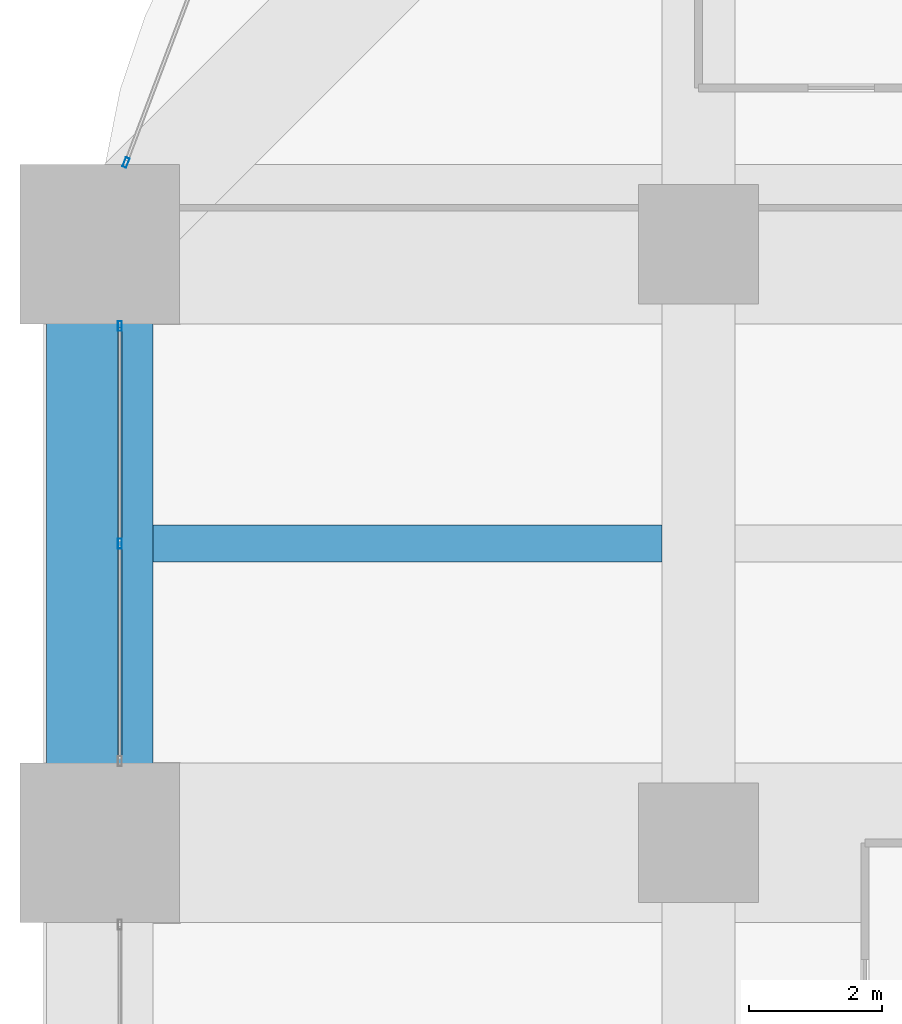
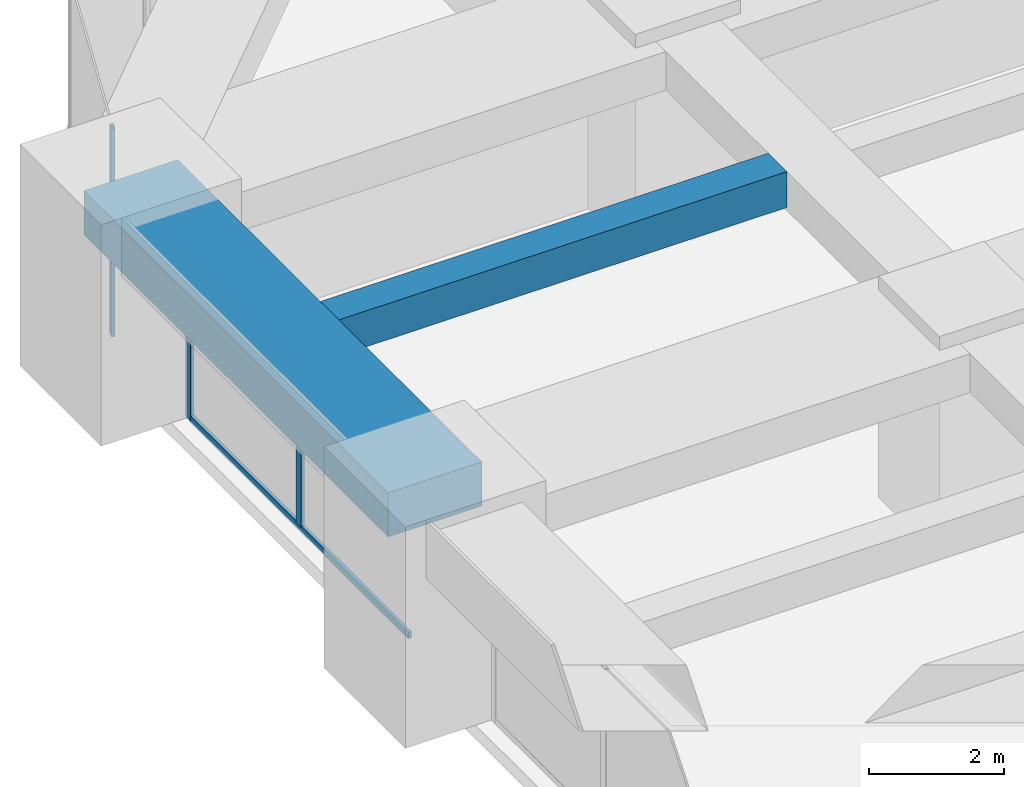
# One storey, part 24 of 42: 4 members, 2 beams, 2 elements without a shape of their own.
"""IFC4 building model written with IfcOpenShell, lengths in metres."""

import ifcopenshell
import ifcopenshell.guid

model = None  # the IFC model being written
_history = None  # IfcOwnerHistory: only IFC2X3 demands one
_inside = {}  # id of a spatial element -> (the spatial element, [elements in it])
_under = {}  # id of a project, library or spatial element -> (it, [spatial elements below it])
_declared = {}  # id of a project -> (the project, [libraries it declares])
_typed = {}  # id of a type object -> (the type object, [elements of that type])
_made_of = {}  # id of a material, layer set ... -> (it, [elements and type objects made of it])


def new_model(schema):
    """Start an empty IFC model of exactly this schema.

    Asked for "IFC4X3", IfcOpenShell would pick the latest addendum, in which some entities
    have other attributes; the version numbers below select the first issue.
    IFC2X3 requires an IfcOwnerHistory on every rooted entity: one is made here for all.
    """
    global model, _history
    if schema == "IFC4X3":
        model = ifcopenshell.file(schema_version=(4, 3, 0, 0))
    else:
        model = ifcopenshell.file(schema=schema)
    _inside.clear()
    _under.clear()
    _declared.clear()
    _typed.clear()
    _made_of.clear()
    _history = None
    if model.schema == "IFC2X3":
        org = make("IfcOrganization", Name="unknown")
        user = make(
            "IfcPersonAndOrganization",
            ThePerson=make("IfcPerson", FamilyName="unknown"),
            TheOrganization=org,
        )
        app = make(
            "IfcApplication",
            ApplicationDeveloper=org,
            Version="unknown",
            ApplicationFullName="unknown",
            ApplicationIdentifier="unknown",
        )
        _history = make(
            "IfcOwnerHistory",
            OwningUser=user,
            OwningApplication=app,
            ChangeAction="ADDED",
            CreationDate=0,
        )
    return model


def make(cls, **values):
    """One entity of the class cls with the attributes given. An attribute that is None is left unset."""
    return model.create_entity(
        cls, **{name: value for name, value in values.items() if value is not None}
    )


def rooted(cls, **values):
    """An entity with a GlobalId (a new one), such as an element, a storey or a relation."""
    return make(cls, GlobalId=ifcopenshell.guid.new(), OwnerHistory=_history, **values)


def si_unit(unit_type, name, prefix=None):
    """IfcSIUnit, for example si_unit("LENGTHUNIT", "METRE", prefix="MILLI")."""
    return make("IfcSIUnit", UnitType=unit_type, Prefix=prefix, Name=name)


def assignment(units):
    """IfcUnitAssignment: the units of a project."""
    return None if units is None else make("IfcUnitAssignment", Units=units)


def point(xyz):
    """IfcCartesianPoint."""
    return None if xyz is None else make("IfcCartesianPoint", Coordinates=xyz)


def direction(xyz):
    """IfcDirection."""
    return None if xyz is None else make("IfcDirection", DirectionRatios=xyz)


def frame(location, z_axis=None, x_axis=None):
    """IfcAxis2Placement3D, a coordinate frame: its origin and axes. An axis left out is left unset."""
    return make(
        "IfcAxis2Placement3D",
        Location=point(location),
        Axis=direction(z_axis),
        RefDirection=direction(x_axis),
    )


def frame_2d(location, x_axis=None):
    """IfcAxis2Placement2D, a coordinate frame in the plane: its origin and x axis."""
    return make(
        "IfcAxis2Placement2D", Location=point(location), RefDirection=direction(x_axis)
    )


def origin():
    """The frame at (0, 0, 0) with its axes left unset."""
    return frame((0.0, 0.0, 0.0))


def origin_2d():
    """The frame at (0, 0) in the plane with its x axis left unset."""
    return frame_2d((0.0, 0.0))


def place(relative_to, where):
    """IfcLocalPlacement: puts the frame where relative to a parent placement (None: the world)."""
    return make(
        "IfcLocalPlacement", PlacementRelTo=relative_to, RelativePlacement=where
    )


def context(
    kind, dimensions, precision=None, world=None, true_north=None, identifier=None
):
    """IfcGeometricRepresentationContext, for example the 3D "Model" context."""
    return make(
        "IfcGeometricRepresentationContext",
        ContextIdentifier=identifier,
        ContextType=kind,
        CoordinateSpaceDimension=dimensions,
        Precision=precision,
        WorldCoordinateSystem=world,
        TrueNorth=true_north,
    )


def subcontext(parent, identifier, kind, view, scale=None):
    """IfcGeometricRepresentationSubContext, for example "Body" below "Model"."""
    return make(
        "IfcGeometricRepresentationSubContext",
        ContextIdentifier=identifier,
        ContextType=kind,
        ParentContext=parent,
        TargetScale=scale,
        TargetView=view,
    )


def project(units=None, contexts=None):
    """IfcProject with its units and contexts."""
    return rooted(
        "IfcProject",
        Name="project",
        RepresentationContexts=contexts,
        UnitsInContext=assignment(units),
    )


def spatial(cls, under=None, at=None, **own):
    """A site, building, storey or space (cls), placed at a placement, below another one or the project."""
    s = rooted(cls, ObjectPlacement=at, **own)
    if under is not None:
        _under.setdefault(under.id(), (under, []))[1].append(s)
    return s


def profile(cls, at=None, kind="AREA", **sizes):
    """A parametric profile (cls). Its sizes go by their IFC names, for example OverallWidth=200.0."""
    return make(cls, ProfileType=kind, Position=at, **sizes)


def rectangle(**sizes):
    """IfcRectangleProfileDef."""
    return profile("IfcRectangleProfileDef", **sizes)


def hollow_rectangle(**sizes):
    """IfcRectangleHollowProfileDef."""
    return profile("IfcRectangleHollowProfileDef", **sizes)


def extrude(swept, where, along, depth):
    """IfcExtrudedAreaSolid: the profile swept, set in the frame where, extruded along a direction by depth."""
    return make(
        "IfcExtrudedAreaSolid",
        SweptArea=swept,
        Position=where,
        ExtrudedDirection=direction(along),
        Depth=depth,
    )


def shape(context_of_items, identifier, shape_type, items):
    """IfcShapeRepresentation: the items that make up one representation, for example the "Body"."""
    return make(
        "IfcShapeRepresentation",
        ContextOfItems=context_of_items,
        RepresentationIdentifier=identifier,
        RepresentationType=shape_type,
        Items=items,
    )


def material(Name=None, Category=None):
    """IfcMaterial."""
    return make("IfcMaterial", Name=Name, Category=Category)


def material_profile(
    of_material, cross_section, Name=None, Category=None, Priority=None
):
    """IfcMaterialProfile: a cross section and its material."""
    return make(
        "IfcMaterialProfile",
        Name=Name,
        Material=of_material,
        Profile=cross_section,
        Priority=Priority,
        Category=Category,
    )


def profile_set(profiles, Name=None, composite=None):
    """IfcMaterialProfileSet."""
    return make(
        "IfcMaterialProfileSet",
        Name=Name,
        MaterialProfiles=profiles,
        CompositeProfile=composite,
    )


def made_of(thing, what):
    """Note that an element or type object is made of a material, layer set ...; save() writes the relation."""
    if what is not None:
        _made_of.setdefault(what.id(), (what, []))[1].append(thing)
    return thing


def type_object(cls, material=None, **own):
    """A type object (cls), such as IfcWallType, which elements share."""
    return made_of(rooted(cls, **own), material)


def element(
    cls,
    number,
    at=None,
    inside=None,
    cuts=None,
    type_object=None,
    material=None,
    context=None,
    identifier="Body",
    shape_type=None,
    held_by="IfcProductDefinitionShape",
    body=None,
    shapes=None,
    **own,
):
    """One element of the class cls, such as IfcWall. Its Tag is "e" and its number.

    at: its placement. inside: the storey or other place that contains it. cuts: it is an
    opening in that element (IfcRelVoidsElement). A single representation is given by context,
    identifier, shape_type and body (its items); several are given by shapes. held_by: the class
    of the entity that holds the representations. save() writes the other relations.
    """
    e = rooted(cls, Tag="e%d" % number, ObjectPlacement=at, **own)
    if body is not None:
        shapes = [shape(context, identifier, shape_type, body)]
    if shapes is not None:
        e.Representation = make(held_by, Representations=shapes)
    if inside is not None:
        _inside.setdefault(inside.id(), (inside, []))[1].append(e)
    if cuts is not None:
        rooted(
            "IfcRelVoidsElement", RelatingBuildingElement=cuts, RelatedOpeningElement=e
        )
    if type_object is not None:
        _typed.setdefault(type_object.id(), (type_object, []))[1].append(e)
    return made_of(e, material)


def aggregate(whole, parts):
    """IfcRelAggregates: a whole, such as a stair, and the parts it consists of."""
    return rooted("IfcRelAggregates", RelatingObject=whole, RelatedObjects=parts)


def save(model, path):
    """Write the relations noted so far, then the file.

    IfcRelAggregates (storeys below a building ...), IfcRelContainedInSpatialStructure (elements
    in a storey), IfcRelDefinesByType, IfcRelAssociatesMaterial and IfcRelDeclares: one each for
    every whole, place, type object, material and project.
    """
    for whole, parts in _under.values():
        aggregate(whole, parts)
    for where, things in _inside.values():
        rooted(
            "IfcRelContainedInSpatialStructure",
            RelatedElements=things,
            RelatingStructure=where,
        )
    for kind, things in _typed.values():
        rooted("IfcRelDefinesByType", RelatedObjects=things, RelatingType=kind)
    for what, things in _made_of.values():
        rooted("IfcRelAssociatesMaterial", RelatedObjects=things, RelatingMaterial=what)
    for by, libraries in _declared.values():
        rooted("IfcRelDeclares", RelatingContext=by, RelatedDefinitions=libraries)
    model.write(path)


model = new_model("IFC4")

# Units and contexts
model_context = context("Model", 3, precision=1e-05, world=origin(), true_north=direction((0.0, 1.0)))
body_context = subcontext(model_context, "Body", "Model", "MODEL_VIEW")
ifc_project = project(units=[si_unit("LENGTHUNIT", "METRE"), si_unit("AREAUNIT", "SQUARE_METRE"), si_unit("VOLUMEUNIT", "CUBIC_METRE"), si_unit("PLANEANGLEUNIT", "RADIAN"), si_unit("MASSUNIT", "GRAM", prefix="KILO")], contexts=[model_context])

# Site, building, storey
site_placement = place(None, origin())
site = spatial("IfcSite", under=ifc_project, at=site_placement, CompositionType="ELEMENT")
building_placement = place(site_placement, origin())
building = spatial("IfcBuilding", under=site, at=building_placement, Name="Zorevar Civic Tower", CompositionType="ELEMENT")
storey_placement = place(building_placement, frame((0.0, 0.0, 149.0)))
storey = spatial("IfcBuildingStorey", under=building, at=storey_placement, Name="L36", CompositionType="ELEMENT", Elevation=149.0)

# Beam
ifc_material_1 = material(Name="Concrete C50/60", Category="concrete")
ifc_material_profile_1 = material_profile(ifc_material_1, rectangle(XDim=0.550048828125, YDim=0.64990234375, at=origin_2d()), Name="RC 550x650")
ifc_profile_set_1 = profile_set([ifc_material_profile_1], Name="Concrete C50/60")
beam_type_1 = type_object("IfcBeamType", Name="Beam RC 550x650", PredefinedType="BEAM", material=ifc_profile_set_1)
beam_1_placement = place(storey_placement, frame((0.800048828125, 31.5, 3.425048828125), z_axis=(1.0, 0.0, 0.0), x_axis=(0.0, 1.0, 0.0)))
element("IfcBeam", 1, at=beam_1_placement, inside=storey, type_object=beam_type_1, Name="Secondary beam L37", PredefinedType="BEAM", context=body_context, shape_type="SweptSolid", body=[
    extrude(rectangle(XDim=0.550048828125, YDim=0.64990234375, at=origin_2d()), origin(), (0.0, 0.0, 1.0), 7.64990234375),
])

# Curtain wall, members
ifc_material_2 = material(Name="Dark grey solar-control glass in black aluminium frame", Category="aluminium")
curtain_wall_type = type_object("IfcCurtainWallType", Name="Curtain wall CW3 mid zone", PredefinedType="NOTDEFINED", material=ifc_material_2)
curtain_wall_1_placement = place(storey_placement, origin())
curtain_wall_1 = element("IfcCurtainWall", 2, at=curtain_wall_1_placement, inside=storey, type_object=curtain_wall_type, Name="CW3 L36", PredefinedType="NOTDEFINED")
ifc_material_3 = material(Name="Aluminium, black anodised", Category="aluminium")
ifc_material_profile_2 = material_profile(ifc_material_3, hollow_rectangle(XDim=0.06005859375, YDim=0.14990234375, WallThickness=0.00390625, at=origin_2d()), Name="AL 150x60x4")
ifc_profile_set_2 = profile_set([ifc_material_profile_2], Name="Aluminium, black anodised")
member_type_1 = type_object("IfcMemberType", Name="CW3 mullion AL 150x60x4", PredefinedType="MULLION", material=ifc_profile_set_2)
member_1_placement = place(storey_placement, frame((0.300048828125, 31.5, 0.06005859375), z_axis=(0.0, 0.0, 1.0), x_axis=(-1.0, 0.0, 0.0)))
member_1 = element("IfcMember", 3, at=member_1_placement, type_object=member_type_1, Name="CW3 mullion 2", PredefinedType="MULLION", context=body_context, shape_type="SweptSolid", body=[
    extrude(hollow_rectangle(XDim=0.06005859375, YDim=0.14990234375, WallThickness=0.00390625, at=origin_2d()), origin(), (0.0, 0.0, 1.0), 2.889892578125),
])
member_2_placement = place(storey_placement, frame((0.300048828125, 34.77001953125, 0.0), z_axis=(0.0, 0.0, 1.0), x_axis=(-1.0, 0.0, 0.0)))
member_2 = element("IfcMember", 4, at=member_2_placement, type_object=member_type_1, Name="CW3 mullion 3", PredefinedType="MULLION", context=body_context, shape_type="SweptSolid", body=[
    extrude(hollow_rectangle(XDim=0.06005859375, YDim=0.14990234375, WallThickness=0.00390625, at=origin_2d()), origin(), (0.0, 0.0, 1.0), 2.949951171875),
])

# Curtain wall, member
curtain_wall_2_placement = place(storey_placement, origin())
curtain_wall_2 = element("IfcCurtainWall", 5, at=curtain_wall_2_placement, inside=storey, type_object=curtain_wall_type, Name="CW3 L36", PredefinedType="NOTDEFINED")
member_3_placement = place(storey_placement, frame((0.393798828125, 37.22802734375, 0.0), z_axis=(0.0, 0.0, 1.0), x_axis=(0.935276561184, -0.353917722218, 0.0)))
member_3 = element("IfcMember", 6, at=member_3_placement, type_object=member_type_1, Name="CW3 mullion 2", PredefinedType="MULLION", context=body_context, shape_type="SweptSolid", body=[
    extrude(hollow_rectangle(XDim=0.06005859375, YDim=0.14990234375, WallThickness=0.00390625, at=origin_2d()), origin(), (0.0, 0.0, 1.0), 3.75),
])
aggregate(curtain_wall_2, [member_3])

# Member
ifc_material_4 = material(Name="Aluminium, black anodised", Category="aluminium")
ifc_material_profile_3 = material_profile(ifc_material_4, hollow_rectangle(XDim=0.06005859375, YDim=0.1201171875, WallThickness=0.0029296875, at=origin_2d()), Name="AL 120x60x3")
ifc_profile_set_3 = profile_set([ifc_material_profile_3], Name="Aluminium, black anodised")
member_type_2 = type_object("IfcMemberType", Name="CW3 transom AL 120x60x3", PredefinedType="USERDEFINED", material=ifc_profile_set_3)
member_4_placement = place(storey_placement, frame((0.300048828125, 28.260009765625, 0.030029296875), z_axis=(0.0, 1.0, 0.0), x_axis=(-1.0, 0.0, 0.0)))
member_4 = element("IfcMember", 7, at=member_4_placement, type_object=member_type_2, Name="CW3 sill transom", ObjectType="TRANSOM", PredefinedType="USERDEFINED", context=body_context, shape_type="SweptSolid", body=[
    extrude(hollow_rectangle(XDim=0.06005859375, YDim=0.1201171875, WallThickness=0.0029296875, at=origin_2d()), origin(), (0.0, 0.0, 1.0), 6.47998046875),
])

aggregate(curtain_wall_1, [member_1, member_2, member_4])

# Beam
ifc_material_5 = material(Name="Concrete C50/60", Category="concrete")
ifc_material_profile_4 = material_profile(ifc_material_5, rectangle(XDim=1.60009765625, YDim=0.800048828125, at=origin_2d()), Name="RC 1600x800")
ifc_profile_set_4 = profile_set([ifc_material_profile_4], Name="Concrete C50/60")
beam_type_2 = type_object("IfcBeamType", Name="Edge beam RC 1600x800", PredefinedType="SPANDREL", material=ifc_profile_set_4)
beam_2_placement = place(storey_placement, frame((0.0, 27.0, 3.35009765625), z_axis=(0.0, 1.0, 0.0), x_axis=(-1.0, 0.0, 0.0)))
element("IfcBeam", 8, at=beam_2_placement, inside=storey, type_object=beam_type_2, Name="Edge beam L37", PredefinedType="SPANDREL", context=body_context, shape_type="SweptSolid", body=[
    extrude(rectangle(XDim=1.60009765625, YDim=0.800048828125, at=origin_2d()), origin(), (0.0, 0.0, 1.0), 9.0),
])

save(model, "model.ifc")
